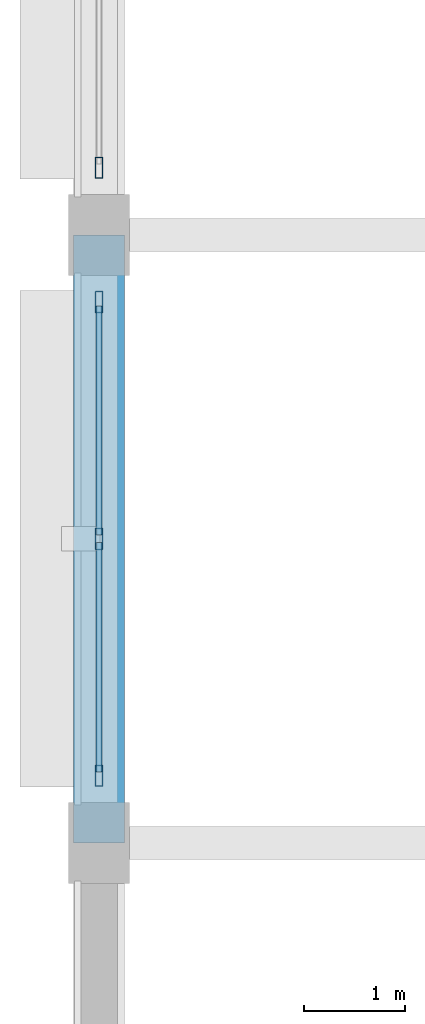
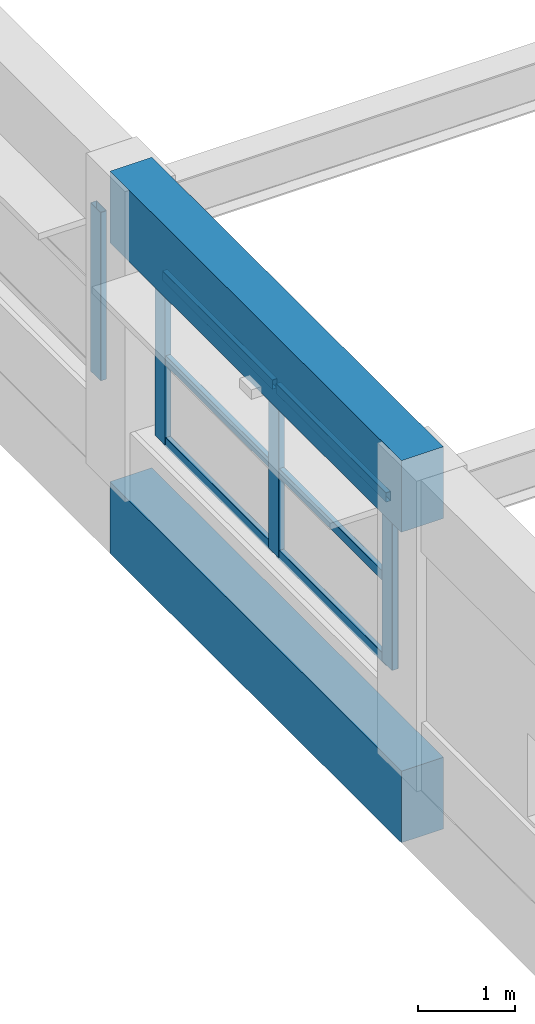
# One storey, part 6 of 108: 10 members, 2 beams, 2 elements without a shape of their own.
"""IFC4 building model written with IfcOpenShell, lengths in metres."""

import ifcopenshell
import ifcopenshell.guid

model = None  # the IFC model being written
_history = None  # IfcOwnerHistory: only IFC2X3 demands one
_inside = {}  # id of a spatial element -> (the spatial element, [elements in it])
_under = {}  # id of a project, library or spatial element -> (it, [spatial elements below it])
_declared = {}  # id of a project -> (the project, [libraries it declares])
_typed = {}  # id of a type object -> (the type object, [elements of that type])
_made_of = {}  # id of a material, layer set ... -> (it, [elements and type objects made of it])


def new_model(schema):
    """Start an empty IFC model of exactly this schema.

    Asked for "IFC4X3", IfcOpenShell would pick the latest addendum, in which some entities
    have other attributes; the version numbers below select the first issue.
    IFC2X3 requires an IfcOwnerHistory on every rooted entity: one is made here for all.
    """
    global model, _history
    if schema == "IFC4X3":
        model = ifcopenshell.file(schema_version=(4, 3, 0, 0))
    else:
        model = ifcopenshell.file(schema=schema)
    _inside.clear()
    _under.clear()
    _declared.clear()
    _typed.clear()
    _made_of.clear()
    _history = None
    if model.schema == "IFC2X3":
        org = make("IfcOrganization", Name="unknown")
        user = make(
            "IfcPersonAndOrganization",
            ThePerson=make("IfcPerson", FamilyName="unknown"),
            TheOrganization=org,
        )
        app = make(
            "IfcApplication",
            ApplicationDeveloper=org,
            Version="unknown",
            ApplicationFullName="unknown",
            ApplicationIdentifier="unknown",
        )
        _history = make(
            "IfcOwnerHistory",
            OwningUser=user,
            OwningApplication=app,
            ChangeAction="ADDED",
            CreationDate=0,
        )
    return model


def make(cls, **values):
    """One entity of the class cls with the attributes given. An attribute that is None is left unset."""
    return model.create_entity(
        cls, **{name: value for name, value in values.items() if value is not None}
    )


def rooted(cls, **values):
    """An entity with a GlobalId (a new one), such as an element, a storey or a relation."""
    return make(cls, GlobalId=ifcopenshell.guid.new(), OwnerHistory=_history, **values)


def si_unit(unit_type, name, prefix=None):
    """IfcSIUnit, for example si_unit("LENGTHUNIT", "METRE", prefix="MILLI")."""
    return make("IfcSIUnit", UnitType=unit_type, Prefix=prefix, Name=name)


def assignment(units):
    """IfcUnitAssignment: the units of a project."""
    return None if units is None else make("IfcUnitAssignment", Units=units)


def point(xyz):
    """IfcCartesianPoint."""
    return None if xyz is None else make("IfcCartesianPoint", Coordinates=xyz)


def direction(xyz):
    """IfcDirection."""
    return None if xyz is None else make("IfcDirection", DirectionRatios=xyz)


def frame(location, z_axis=None, x_axis=None):
    """IfcAxis2Placement3D, a coordinate frame: its origin and axes. An axis left out is left unset."""
    return make(
        "IfcAxis2Placement3D",
        Location=point(location),
        Axis=direction(z_axis),
        RefDirection=direction(x_axis),
    )


def frame_2d(location, x_axis=None):
    """IfcAxis2Placement2D, a coordinate frame in the plane: its origin and x axis."""
    return make(
        "IfcAxis2Placement2D", Location=point(location), RefDirection=direction(x_axis)
    )


def origin():
    """The frame at (0, 0, 0) with its axes left unset."""
    return frame((0.0, 0.0, 0.0))


def origin_2d():
    """The frame at (0, 0) in the plane with its x axis left unset."""
    return frame_2d((0.0, 0.0))


def place(relative_to, where):
    """IfcLocalPlacement: puts the frame where relative to a parent placement (None: the world)."""
    return make(
        "IfcLocalPlacement", PlacementRelTo=relative_to, RelativePlacement=where
    )


def context(
    kind, dimensions, precision=None, world=None, true_north=None, identifier=None
):
    """IfcGeometricRepresentationContext, for example the 3D "Model" context."""
    return make(
        "IfcGeometricRepresentationContext",
        ContextIdentifier=identifier,
        ContextType=kind,
        CoordinateSpaceDimension=dimensions,
        Precision=precision,
        WorldCoordinateSystem=world,
        TrueNorth=true_north,
    )


def subcontext(parent, identifier, kind, view, scale=None):
    """IfcGeometricRepresentationSubContext, for example "Body" below "Model"."""
    return make(
        "IfcGeometricRepresentationSubContext",
        ContextIdentifier=identifier,
        ContextType=kind,
        ParentContext=parent,
        TargetScale=scale,
        TargetView=view,
    )


def project(units=None, contexts=None):
    """IfcProject with its units and contexts."""
    return rooted(
        "IfcProject",
        Name="project",
        RepresentationContexts=contexts,
        UnitsInContext=assignment(units),
    )


def spatial(cls, under=None, at=None, **own):
    """A site, building, storey or space (cls), placed at a placement, below another one or the project."""
    s = rooted(cls, ObjectPlacement=at, **own)
    if under is not None:
        _under.setdefault(under.id(), (under, []))[1].append(s)
    return s


def profile(cls, at=None, kind="AREA", **sizes):
    """A parametric profile (cls). Its sizes go by their IFC names, for example OverallWidth=200.0."""
    return make(cls, ProfileType=kind, Position=at, **sizes)


def rectangle(**sizes):
    """IfcRectangleProfileDef."""
    return profile("IfcRectangleProfileDef", **sizes)


def hollow_rectangle(**sizes):
    """IfcRectangleHollowProfileDef."""
    return profile("IfcRectangleHollowProfileDef", **sizes)


def extrude(swept, where, along, depth):
    """IfcExtrudedAreaSolid: the profile swept, set in the frame where, extruded along a direction by depth."""
    return make(
        "IfcExtrudedAreaSolid",
        SweptArea=swept,
        Position=where,
        ExtrudedDirection=direction(along),
        Depth=depth,
    )


def shape(context_of_items, identifier, shape_type, items):
    """IfcShapeRepresentation: the items that make up one representation, for example the "Body"."""
    return make(
        "IfcShapeRepresentation",
        ContextOfItems=context_of_items,
        RepresentationIdentifier=identifier,
        RepresentationType=shape_type,
        Items=items,
    )


def material(Name=None, Category=None):
    """IfcMaterial."""
    return make("IfcMaterial", Name=Name, Category=Category)


def layer(
    of_material, thickness, ventilated=None, Name=None, Category=None, Priority=None
):
    """IfcMaterialLayer: one layer of a wall or slab, of a material (None: an air gap)."""
    return make(
        "IfcMaterialLayer",
        Material=of_material,
        LayerThickness=thickness,
        IsVentilated=ventilated,
        Name=Name,
        Category=Category,
        Priority=Priority,
    )


def layer_set(layers, Name=None):
    """IfcMaterialLayerSet."""
    return make("IfcMaterialLayerSet", MaterialLayers=layers, LayerSetName=Name)


def material_profile(
    of_material, cross_section, Name=None, Category=None, Priority=None
):
    """IfcMaterialProfile: a cross section and its material."""
    return make(
        "IfcMaterialProfile",
        Name=Name,
        Material=of_material,
        Profile=cross_section,
        Priority=Priority,
        Category=Category,
    )


def profile_set(profiles, Name=None, composite=None):
    """IfcMaterialProfileSet."""
    return make(
        "IfcMaterialProfileSet",
        Name=Name,
        MaterialProfiles=profiles,
        CompositeProfile=composite,
    )


def made_of(thing, what):
    """Note that an element or type object is made of a material, layer set ...; save() writes the relation."""
    if what is not None:
        _made_of.setdefault(what.id(), (what, []))[1].append(thing)
    return thing


def type_object(cls, material=None, **own):
    """A type object (cls), such as IfcWallType, which elements share."""
    return made_of(rooted(cls, **own), material)


def element(
    cls,
    number,
    at=None,
    inside=None,
    cuts=None,
    type_object=None,
    material=None,
    context=None,
    identifier="Body",
    shape_type=None,
    held_by="IfcProductDefinitionShape",
    body=None,
    shapes=None,
    **own,
):
    """One element of the class cls, such as IfcWall. Its Tag is "e" and its number.

    at: its placement. inside: the storey or other place that contains it. cuts: it is an
    opening in that element (IfcRelVoidsElement). A single representation is given by context,
    identifier, shape_type and body (its items); several are given by shapes. held_by: the class
    of the entity that holds the representations. save() writes the other relations.
    """
    e = rooted(cls, Tag="e%d" % number, ObjectPlacement=at, **own)
    if body is not None:
        shapes = [shape(context, identifier, shape_type, body)]
    if shapes is not None:
        e.Representation = make(held_by, Representations=shapes)
    if inside is not None:
        _inside.setdefault(inside.id(), (inside, []))[1].append(e)
    if cuts is not None:
        rooted(
            "IfcRelVoidsElement", RelatingBuildingElement=cuts, RelatedOpeningElement=e
        )
    if type_object is not None:
        _typed.setdefault(type_object.id(), (type_object, []))[1].append(e)
    return made_of(e, material)


def aggregate(whole, parts):
    """IfcRelAggregates: a whole, such as a stair, and the parts it consists of."""
    return rooted("IfcRelAggregates", RelatingObject=whole, RelatedObjects=parts)


def save(model, path):
    """Write the relations noted so far, then the file.

    IfcRelAggregates (storeys below a building ...), IfcRelContainedInSpatialStructure (elements
    in a storey), IfcRelDefinesByType, IfcRelAssociatesMaterial and IfcRelDeclares: one each for
    every whole, place, type object, material and project.
    """
    for whole, parts in _under.values():
        aggregate(whole, parts)
    for where, things in _inside.values():
        rooted(
            "IfcRelContainedInSpatialStructure",
            RelatedElements=things,
            RelatingStructure=where,
        )
    for kind, things in _typed.values():
        rooted("IfcRelDefinesByType", RelatedObjects=things, RelatingType=kind)
    for what, things in _made_of.values():
        rooted("IfcRelAssociatesMaterial", RelatedObjects=things, RelatingMaterial=what)
    for by, libraries in _declared.values():
        rooted("IfcRelDeclares", RelatingContext=by, RelatedDefinitions=libraries)
    model.write(path)


model = new_model("IFC4")

# Units and contexts
model_context = context("Model", 3, precision=1e-05, world=origin(), true_north=direction((0.0, 1.0)))
body_context = subcontext(model_context, "Body", "Model", "MODEL_VIEW")
ifc_project = project(units=[si_unit("LENGTHUNIT", "METRE"), si_unit("AREAUNIT", "SQUARE_METRE"), si_unit("VOLUMEUNIT", "CUBIC_METRE"), si_unit("PLANEANGLEUNIT", "RADIAN"), si_unit("MASSUNIT", "GRAM", prefix="KILO")], contexts=[model_context])

# Site, building, storey
site_placement = place(None, origin())
site = spatial("IfcSite", under=ifc_project, at=site_placement, CompositionType="ELEMENT")
building_placement = place(site_placement, origin())
building = spatial("IfcBuilding", under=site, at=building_placement, Name="Vespera Passage Community Centre", CompositionType="ELEMENT")
storey_placement = place(building_placement, frame((0.0, 0.0, 12.60009765625)))
storey = spatial("IfcBuildingStorey", under=building, at=storey_placement, Name="L03", CompositionType="ELEMENT", Elevation=12.60009765625)

# Beams
ifc_material_1 = material(Name="Concrete f'c 45 MPa", Category="concrete")
ifc_material_profile_1 = material_profile(ifc_material_1, rectangle(XDim=0.5, YDim=0.89990234375, at=origin_2d()), Name="RC500X900")
ifc_profile_set_1 = profile_set([ifc_material_profile_1], Name="Concrete f'c 45 MPa")
beam_type = type_object("IfcBeamType", Name="BM-SP-500X900E", PredefinedType="SPANDREL", material=ifc_profile_set_1)
for number, where, z_axis, x_axis, name in (
    (1, (4.050048828125, 13.0, 3.449951171875), (0.0, 1.0, 0.0), (-1.0, 0.0, 0.0), "Main Hall Eave Ring Girder W2"),
    (2, (4.050048828125, 13.0, -0.4501953125), (0.0, 1.0, 0.0), (-1.0, 0.0, 0.0), "V1 L03 Spandrel W2"),
):
    element("IfcBeam", number, at=place(storey_placement, frame(where, z_axis=z_axis, x_axis=x_axis)), inside=storey, type_object=beam_type, Name=name, PredefinedType="SPANDREL", context=body_context, shape_type="SweptSolid", body=[
        extrude(rectangle(XDim=0.5, YDim=0.89990234375, at=origin_2d()), origin(), (0.0, 0.0, 1.0), 6.0),
    ])

# Curtain wall, members
ifc_material_2 = material(Name="Anodized aluminium 6063-T6", Category="aluminium")
ifc_layer = layer(ifc_material_2, 0.159912109375)
ifc_layer_set = layer_set([ifc_layer], Name="Anodized aluminium 6063-T6")
curtain_wall_type = type_object("IfcCurtainWallType", Name="CW-86E", PredefinedType="NOTDEFINED", material=ifc_layer_set)
curtain_wall_1_placement = place(storey_placement, origin())
curtain_wall_1 = element("IfcCurtainWall", 3, at=curtain_wall_1_placement, inside=storey, type_object=curtain_wall_type, Name="Main Hall Acoustic Curtain Wall L03 W2", PredefinedType="NOTDEFINED")
ifc_material_3 = material(Name="Anodized aluminium 6063-T6", Category="aluminium")
ifc_material_profile_2 = material_profile(ifc_material_3, hollow_rectangle(XDim=0.074951171875, YDim=0.2099609375, WallThickness=0.0048828125, InnerFilletRadius=0.00244140625, OuterFilletRadius=0.0048828125, at=origin_2d()), Name="ALU210X75X5")
ifc_profile_set_2 = profile_set([ifc_material_profile_2], Name="Anodized aluminium 6063-T6")
member_type_1 = type_object("IfcMemberType", Name="MB-CWM-210E", PredefinedType="MULLION", material=ifc_profile_set_2)
member_1_placement = place(storey_placement, frame((4.050048828125, 13.66259765625, 0.849853515625), z_axis=(0.0, 0.0, 1.0), x_axis=(-1.0, 0.0, 0.0)))
member_1 = element("IfcMember", 4, at=member_1_placement, type_object=member_type_1, Name="CW-86E mullion 1", PredefinedType="MULLION", context=body_context, shape_type="SweptSolid", body=[
    extrude(hollow_rectangle(XDim=0.074951171875, YDim=0.2099609375, WallThickness=0.0048828125, InnerFilletRadius=0.00244140625, OuterFilletRadius=0.0048828125, at=origin_2d()), origin(), (0.0, 0.0, 1.0), 2.114990234375),
])
member_2_placement = place(storey_placement, frame((4.050048828125, 16.0, 0.849853515625), z_axis=(0.0, 0.0, 1.0), x_axis=(-1.0, 0.0, 0.0)))
member_2 = element("IfcMember", 5, at=member_2_placement, type_object=member_type_1, Name="CW-86E mullion 2", PredefinedType="MULLION", context=body_context, shape_type="SweptSolid", body=[
    extrude(hollow_rectangle(XDim=0.074951171875, YDim=0.2099609375, WallThickness=0.0048828125, InnerFilletRadius=0.00244140625, OuterFilletRadius=0.0048828125, at=origin_2d()), origin(), (0.0, 0.0, 1.0), 2.114990234375),
])
member_3_placement = place(storey_placement, frame((4.050048828125, 18.33740234375, 0.849853515625), z_axis=(0.0, 0.0, 1.0), x_axis=(-1.0, 0.0, 0.0)))
member_3 = element("IfcMember", 6, at=member_3_placement, type_object=member_type_1, Name="CW-86E mullion 3", PredefinedType="MULLION", context=body_context, shape_type="SweptSolid", body=[
    extrude(hollow_rectangle(XDim=0.074951171875, YDim=0.2099609375, WallThickness=0.0048828125, InnerFilletRadius=0.00244140625, OuterFilletRadius=0.0048828125, at=origin_2d()), origin(), (0.0, 0.0, 1.0), 2.114990234375),
])

# Curtain wall, member
curtain_wall_2_placement = place(storey_placement, origin())
curtain_wall_2 = element("IfcCurtainWall", 7, at=curtain_wall_2_placement, inside=storey, type_object=curtain_wall_type, Name="Main Hall Acoustic Curtain Wall L03 W3", PredefinedType="NOTDEFINED")
member_4_placement = place(storey_placement, frame((4.050048828125, 19.66259765625, 0.849853515625), z_axis=(0.0, 0.0, 1.0), x_axis=(-1.0, 0.0, 0.0)))
member_4 = element("IfcMember", 8, at=member_4_placement, type_object=member_type_1, Name="CW-86E mullion 1", PredefinedType="MULLION", context=body_context, shape_type="SweptSolid", body=[
    extrude(hollow_rectangle(XDim=0.074951171875, YDim=0.2099609375, WallThickness=0.0048828125, InnerFilletRadius=0.00244140625, OuterFilletRadius=0.0048828125, at=origin_2d()), origin(), (0.0, 0.0, 1.0), 2.114990234375),
])
aggregate(curtain_wall_2, [member_4])

# Member
ifc_material_4 = material(Name="Anodized aluminium 6063-T6", Category="aluminium")
ifc_material_profile_3 = material_profile(ifc_material_4, hollow_rectangle(XDim=0.06005859375, YDim=0.1201171875, WallThickness=0.00390625, InnerFilletRadius=0.001953125, OuterFilletRadius=0.00390625, at=origin_2d()), Name="ALU120X60X4")
ifc_profile_set_3 = profile_set([ifc_material_profile_3], Name="Anodized aluminium 6063-T6")
member_type_2 = type_object("IfcMemberType", Name="MB-CWT-120E", PredefinedType="USERDEFINED", material=ifc_profile_set_3)
member_5_placement = place(storey_placement, frame((4.050048828125, 13.699951171875, 0.8798828125), z_axis=(0.0, 1.0, 0.0), x_axis=(-1.0, 0.0, 0.0)))
member_5 = element("IfcMember", 9, at=member_5_placement, type_object=member_type_2, Name="CW-86E transom 1.1", ObjectType="TRANSOM", PredefinedType="USERDEFINED", context=body_context, shape_type="SweptSolid", body=[
    extrude(hollow_rectangle(XDim=0.06005859375, YDim=0.1201171875, WallThickness=0.00390625, InnerFilletRadius=0.001953125, OuterFilletRadius=0.00390625, at=origin_2d()), origin(), (0.0, 0.0, 1.0), 2.262451171875),
])

member_6_placement = place(storey_placement, frame((4.050048828125, 13.699951171875, 1.907470703125), z_axis=(0.0, 1.0, 0.0), x_axis=(-1.0, 0.0, 0.0)))
member_6 = element("IfcMember", 10, at=member_6_placement, type_object=member_type_2, Name="CW-86E transom 1.2", ObjectType="TRANSOM", PredefinedType="USERDEFINED", context=body_context, shape_type="SweptSolid", body=[
    extrude(hollow_rectangle(XDim=0.06005859375, YDim=0.1201171875, WallThickness=0.00390625, InnerFilletRadius=0.001953125, OuterFilletRadius=0.00390625, at=origin_2d()), origin(), (0.0, 0.0, 1.0), 2.262451171875),
])

member_7_placement = place(storey_placement, frame((4.050048828125, 13.699951171875, 2.934814453125), z_axis=(0.0, 1.0, 0.0), x_axis=(-1.0, 0.0, 0.0)))
member_7 = element("IfcMember", 11, at=member_7_placement, type_object=member_type_2, Name="CW-86E transom 1.3", ObjectType="TRANSOM", PredefinedType="USERDEFINED", context=body_context, shape_type="SweptSolid", body=[
    extrude(hollow_rectangle(XDim=0.06005859375, YDim=0.1201171875, WallThickness=0.00390625, InnerFilletRadius=0.001953125, OuterFilletRadius=0.00390625, at=origin_2d()), origin(), (0.0, 0.0, 1.0), 2.262451171875),
])

member_8_placement = place(storey_placement, frame((4.050048828125, 16.03759765625, 0.8798828125), z_axis=(0.0, 1.0, 0.0), x_axis=(-1.0, 0.0, 0.0)))
member_8 = element("IfcMember", 12, at=member_8_placement, type_object=member_type_2, Name="CW-86E transom 2.1", ObjectType="TRANSOM", PredefinedType="USERDEFINED", context=body_context, shape_type="SweptSolid", body=[
    extrude(hollow_rectangle(XDim=0.06005859375, YDim=0.1201171875, WallThickness=0.00390625, InnerFilletRadius=0.001953125, OuterFilletRadius=0.00390625, at=origin_2d()), origin(), (0.0, 0.0, 1.0), 2.262451171875),
])

member_9_placement = place(storey_placement, frame((4.050048828125, 16.03759765625, 1.907470703125), z_axis=(0.0, 1.0, 0.0), x_axis=(-1.0, 0.0, 0.0)))
member_9 = element("IfcMember", 13, at=member_9_placement, type_object=member_type_2, Name="CW-86E transom 2.2", ObjectType="TRANSOM", PredefinedType="USERDEFINED", context=body_context, shape_type="SweptSolid", body=[
    extrude(hollow_rectangle(XDim=0.06005859375, YDim=0.1201171875, WallThickness=0.00390625, InnerFilletRadius=0.001953125, OuterFilletRadius=0.00390625, at=origin_2d()), origin(), (0.0, 0.0, 1.0), 2.262451171875),
])

member_10_placement = place(storey_placement, frame((4.050048828125, 16.03759765625, 2.934814453125), z_axis=(0.0, 1.0, 0.0), x_axis=(-1.0, 0.0, 0.0)))
member_10 = element("IfcMember", 14, at=member_10_placement, type_object=member_type_2, Name="CW-86E transom 2.3", ObjectType="TRANSOM", PredefinedType="USERDEFINED", context=body_context, shape_type="SweptSolid", body=[
    extrude(hollow_rectangle(XDim=0.06005859375, YDim=0.1201171875, WallThickness=0.00390625, InnerFilletRadius=0.001953125, OuterFilletRadius=0.00390625, at=origin_2d()), origin(), (0.0, 0.0, 1.0), 2.262451171875),
])

aggregate(curtain_wall_1, [member_1, member_2, member_3, member_5, member_6, member_7, member_8, member_9, member_10])

save(model, "model.ifc")
